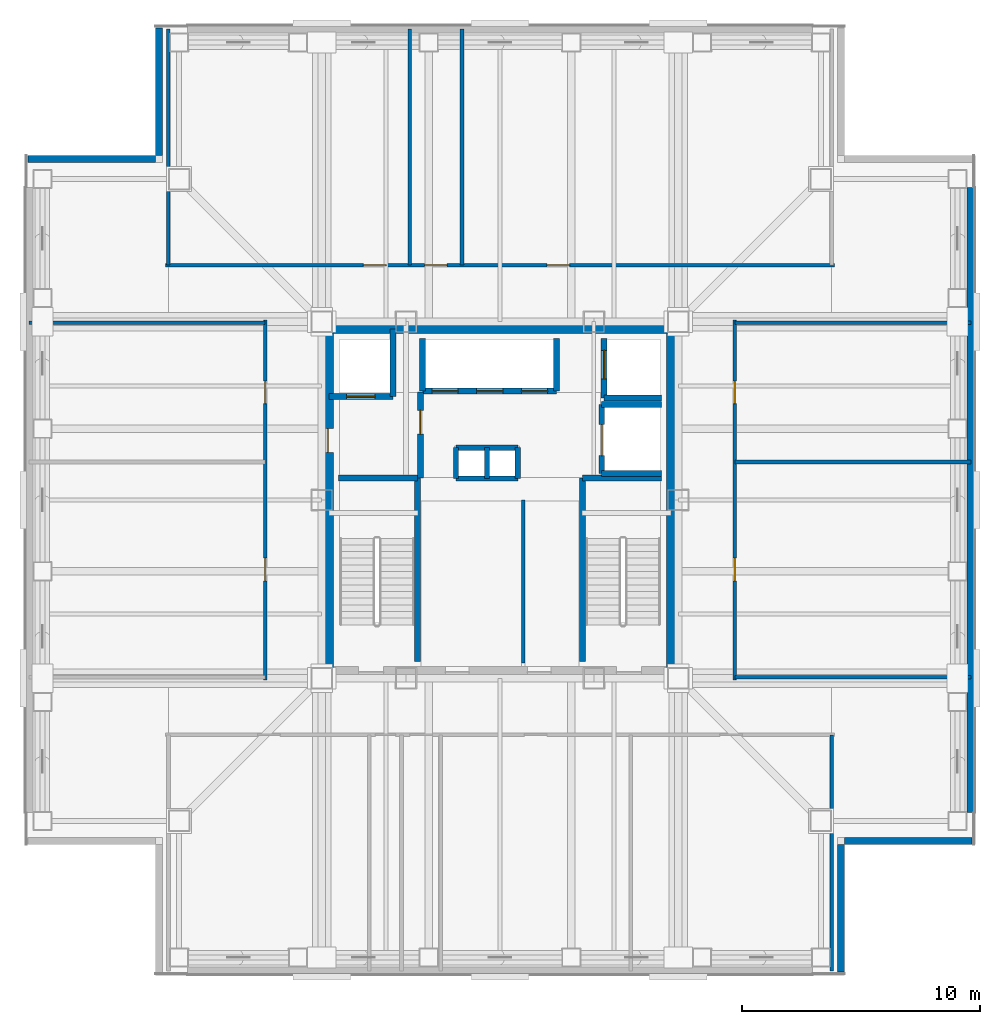
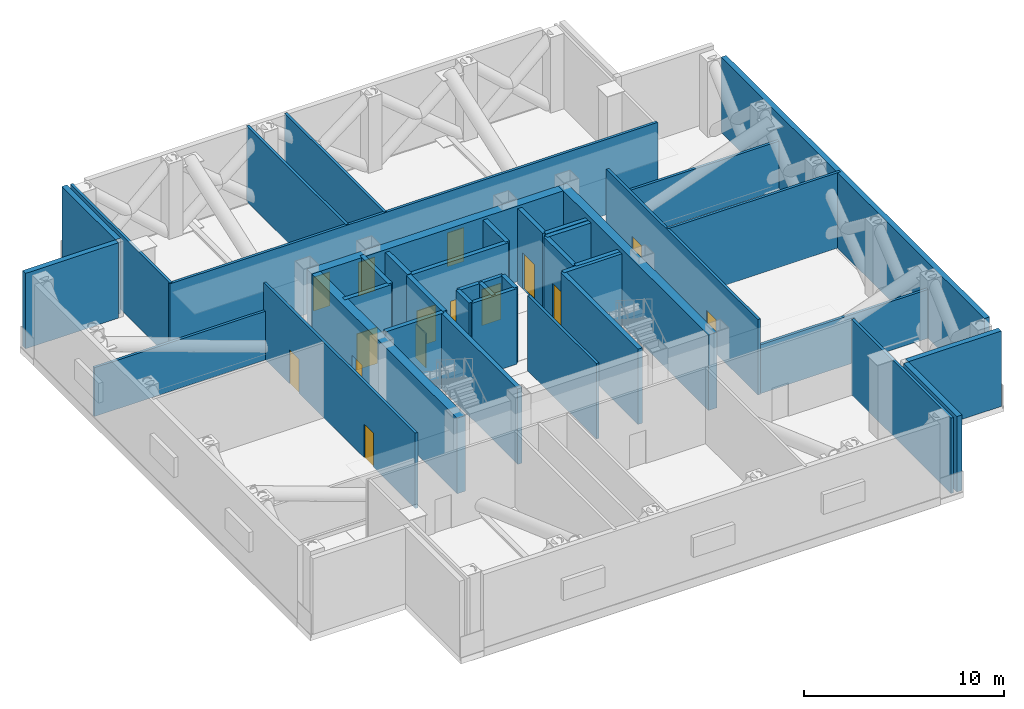
# One storey, part 4 of 10: 40 walls, 15 doors, 15 openings.
"""IFC4 building model written with IfcOpenShell, lengths in metres."""

from ifc_helpers import new_model, si_unit, direction, frame, frame_2d, origin, place, context, subcontext, project, spatial, rectangle, extrude, material, layer, layer_set, type_object, element, fill, save


model = new_model("IFC4")

# Units and contexts
model_context = context("Model", 3, precision=1e-05, world=origin(), true_north=direction((0.0, 1.0)))
body_context = subcontext(model_context, "Body", "Model", "MODEL_VIEW")
ifc_project = project(units=[si_unit("LENGTHUNIT", "METRE"), si_unit("AREAUNIT", "SQUARE_METRE"), si_unit("VOLUMEUNIT", "CUBIC_METRE"), si_unit("PLANEANGLEUNIT", "RADIAN"), si_unit("MASSUNIT", "GRAM", prefix="KILO")], contexts=[model_context])

# Site, building, storey
site_placement = place(None, origin())
site = spatial("IfcSite", under=ifc_project, at=site_placement, CompositionType="ELEMENT")
building_placement = place(site_placement, origin())
building = spatial("IfcBuilding", under=site, at=building_placement, Name="Trevonay Congress Spire", CompositionType="ELEMENT")
storey_placement = place(building_placement, frame((0.0, 0.0, 227.39990234375)))
storey = spatial("IfcBuildingStorey", under=building, at=storey_placement, Name="L59", CompositionType="ELEMENT", Elevation=227.39990234375)

# Wall
ifc_material_1 = material(Name="Concrete C50/60", Category="concrete")
ifc_layer_1 = layer(ifc_material_1, 0.5, Name="Concrete C50/60")
ifc_layer_set_1 = layer_set([ifc_layer_1], Name="Concrete C50/60")
wall_type_1 = type_object("IfcWallType", Name="WAL-CORE-500", PredefinedType="SHEAR", material=ifc_layer_set_1)
wall_1_placement = place(storey_placement, frame((-7.5, 7.25, 0.0), z_axis=(0.0, 0.0, 1.0), x_axis=(1.0, 0.0, 0.0)))
element("IfcWall", 1, at=wall_1_placement, inside=storey, type_object=wall_type_1, Name="L59 North structural core shear wall", PredefinedType="SHEAR", context=body_context, shape_type="SweptSolid", body=[
    extrude(rectangle(XDim=15.0, YDim=0.5, at=frame_2d((7.5, 0.0))), origin(), (0.0, 0.0, 1.0), 4.60009765625),
])

# Wall, opening, door
wall_2_placement = place(storey_placement, frame((-7.25, -7.5, 0.0), z_axis=(0.0, 0.0, 1.0), x_axis=(0.0, 1.0, 0.0)))
wall_2 = element("IfcWall", 2, at=wall_2_placement, inside=storey, type_object=wall_type_1, Name="L59 West structural core shear wall", PredefinedType="SHEAR", context=body_context, shape_type="SweptSolid", body=[
    extrude(rectangle(XDim=15.0, YDim=0.5, at=frame_2d((7.5, 0.0))), origin(), (0.0, 0.0, 1.0), 4.60009765625),
])
opening_1_placement = place(wall_2_placement, frame((9.5, 0.0, 0.0)))
opening_1 = element("IfcOpeningElement", 3, at=opening_1_placement, cuts=wall_2, Name="Opening D06", PredefinedType="OPENING", context=body_context, shape_type="SweptSolid", body=[
    extrude(rectangle(XDim=1.0, YDim=2.080078125, at=frame_2d((0.5, 1.0400390625))), frame((0.0, 0.260009765625, 0.0), z_axis=(0.0, -1.0, 0.0), x_axis=(1.0, 0.0, 0.0)), (0.0, 0.0, 1.0), 0.52001953125),
])
ifc_material_2 = material(Name="Steel ASTM A572 Grade 50", Category="steel")
door_type_1 = type_object("IfcDoorType", Name="DOR-FIRE-100", OperationType="NOTDEFINED", PredefinedType="DOOR", material=ifc_material_2)
door_1_placement = place(opening_1_placement, origin())
door_1 = element("IfcDoor", 4, at=door_1_placement, inside=storey, type_object=door_type_1, Name="L59 Firefighting Lift Lobby West Corridor Door", OperationType="SINGLE_SWING_RIGHT", OverallHeight=2.080078125, OverallWidth=1.0, PredefinedType="DOOR", context=body_context, shape_type="SweptSolid", body=[
    extrude(rectangle(XDim=1.0, YDim=2.080078125, at=frame_2d((0.5, 1.0400390625))), frame((0.0, 0.02490234375, 0.0), z_axis=(0.0, -1.0, 0.0), x_axis=(1.0, 0.0, 0.0)), (0.0, 0.0, 1.0), 0.050048828125),
])
fill(opening_1, door_1)

# Wall
wall_3_placement = place(storey_placement, frame((7.25, -7.5, 0.0), z_axis=(0.0, 0.0, 1.0), x_axis=(0.0, 1.0, 0.0)))
element("IfcWall", 5, at=wall_3_placement, inside=storey, type_object=wall_type_1, Name="L59 East structural core shear wall", PredefinedType="SHEAR", context=body_context, shape_type="SweptSolid", body=[
    extrude(rectangle(XDim=15.0, YDim=0.5, at=frame_2d((7.5, 0.0))), origin(), (0.0, 0.0, 1.0), 4.60009765625),
])

# Wall, openings, doors
ifc_material_3 = material(Name="Concrete C40/50", Category="concrete")
ifc_layer_2 = layer(ifc_material_3, 0.14990234375, Name="Concrete C40/50")
ifc_layer_set_2 = layer_set([ifc_layer_2], Name="Concrete C40/50")
wall_type_2 = type_object("IfcWallType", Name="WAL-CORR-150", PredefinedType="PARTITIONING", material=ifc_layer_set_2)
wall_4_placement = place(storey_placement, frame((-14.070068359375, 9.8798828125, 0.0), z_axis=(0.0, 0.0, 1.0), x_axis=(1.0, 0.0, 0.0)))
wall_4 = element("IfcWall", 6, at=wall_4_placement, inside=storey, type_object=wall_type_2, Name="L59 interior wall WP-L59N-COR", PredefinedType="PARTITIONING", context=body_context, shape_type="SweptSolid", body=[
    extrude(rectangle(XDim=28.14013671875, YDim=0.14990234375, at=frame_2d((14.070068359375, 0.0))), origin(), (0.0, 0.0, 1.0), 4.60009765625),
])
opening_2_placement = place(wall_4_placement, frame((8.324951171875, 0.0, 0.0)))
opening_2 = element("IfcOpeningElement", 7, at=opening_2_placement, cuts=wall_4, Name="Opening D07", PredefinedType="OPENING", context=body_context, shape_type="SweptSolid", body=[
    extrude(rectangle(XDim=0.949951171875, YDim=2.06005859375, at=frame_2d((0.47509765625, 1.030029296875))), frame((0.0, 0.0849609375, 0.0), z_axis=(0.0, -1.0, 0.0), x_axis=(1.0, 0.0, 0.0)), (0.0, 0.0, 1.0), 0.169921875),
])
opening_3_placement = place(wall_4_placement, frame((10.89501953125, 0.0, 0.0)))
opening_3 = element("IfcOpeningElement", 8, at=opening_3_placement, cuts=wall_4, Name="Opening D07", PredefinedType="OPENING", context=body_context, shape_type="SweptSolid", body=[
    extrude(rectangle(XDim=0.949951171875, YDim=2.06005859375, at=frame_2d((0.47509765625, 1.030029296875))), frame((0.0, 0.0849609375, 0.0), z_axis=(0.0, -1.0, 0.0), x_axis=(1.0, 0.0, 0.0)), (0.0, 0.0, 1.0), 0.169921875),
])
opening_4_placement = place(wall_4_placement, frame((16.044921875, 0.0, 0.0)))
opening_4 = element("IfcOpeningElement", 9, at=opening_4_placement, cuts=wall_4, Name="Opening D07", PredefinedType="OPENING", context=body_context, shape_type="SweptSolid", body=[
    extrude(rectangle(XDim=0.949951171875, YDim=2.06005859375, at=frame_2d((0.47509765625, 1.030029296875))), frame((0.0, 0.0849609375, 0.0), z_axis=(0.0, -1.0, 0.0), x_axis=(1.0, 0.0, 0.0)), (0.0, 0.0, 1.0), 0.169921875),
])
ifc_material_4 = material(Name="Pale Anodised Aluminium EN AW-6063-T6", Category="aluminium")
door_type_2 = type_object("IfcDoorType", Name="DOR-OFFICE-95", OperationType="NOTDEFINED", PredefinedType="DOOR", material=ifc_material_4)
door_2_placement = place(opening_2_placement, origin())
door_2 = element("IfcDoor", 10, at=door_2_placement, inside=storey, type_object=door_type_2, Name="L59 Electrical HV Transformer Room Door", OperationType="SINGLE_SWING_LEFT", OverallHeight=2.06005859375, OverallWidth=0.949951171875, PredefinedType="DOOR", context=body_context, shape_type="SweptSolid", body=[
    extrude(rectangle(XDim=0.949951171875, YDim=2.06005859375, at=frame_2d((0.47509765625, 1.030029296875))), frame((0.0, 0.02490234375, 0.0), z_axis=(0.0, -1.0, 0.0), x_axis=(1.0, 0.0, 0.0)), (0.0, 0.0, 1.0), 0.050048828125),
])
fill(opening_2, door_2)
door_3_placement = place(opening_3_placement, origin())
door_3 = element("IfcDoor", 11, at=door_3_placement, inside=storey, type_object=door_type_2, Name="L59 Sprinkler Break-Tank and Pump Room Door", OperationType="SINGLE_SWING_RIGHT", OverallHeight=2.06005859375, OverallWidth=0.949951171875, PredefinedType="DOOR", context=body_context, shape_type="SweptSolid", body=[
    extrude(rectangle(XDim=0.949951171875, YDim=2.06005859375, at=frame_2d((0.47509765625, 1.030029296875))), frame((0.0, 0.02490234375, 0.0), z_axis=(0.0, -1.0, 0.0), x_axis=(1.0, 0.0, 0.0)), (0.0, 0.0, 1.0), 0.050048828125),
])
fill(opening_3, door_3)
door_4_placement = place(opening_4_placement, origin())
door_4 = element("IfcDoor", 12, at=door_4_placement, inside=storey, type_object=door_type_2, Name="L59 Smoke Extract Plenum Room Door", OperationType="SINGLE_SWING_LEFT", OverallHeight=2.06005859375, OverallWidth=0.949951171875, PredefinedType="DOOR", context=body_context, shape_type="SweptSolid", body=[
    extrude(rectangle(XDim=0.949951171875, YDim=2.06005859375, at=frame_2d((0.47509765625, 1.030029296875))), frame((0.0, 0.02490234375, 0.0), z_axis=(0.0, -1.0, 0.0), x_axis=(1.0, 0.0, 0.0)), (0.0, 0.0, 1.0), 0.050048828125),
])
fill(opening_4, door_4)

wall_5_placement = place(storey_placement, frame((-9.8798828125, -7.570068359375, 0.0), z_axis=(0.0, 0.0, 1.0), x_axis=(0.0, 1.0, 0.0)))
wall_5 = element("IfcWall", 13, at=wall_5_placement, inside=storey, type_object=wall_type_2, Name="L59 interior wall WP-L59W-COR", PredefinedType="PARTITIONING", context=body_context, shape_type="SweptSolid", body=[
    extrude(rectangle(XDim=15.14013671875, YDim=0.14990234375, at=frame_2d((7.570068359375, 0.0))), origin(), (0.0, 0.0, 1.0), 4.60009765625),
])
opening_5_placement = place(wall_5_placement, frame((4.169921875, 0.0, 0.0)))
opening_5 = element("IfcOpeningElement", 14, at=opening_5_placement, cuts=wall_5, Name="Opening D07", PredefinedType="OPENING", context=body_context, shape_type="SweptSolid", body=[
    extrude(rectangle(XDim=0.949951171875, YDim=2.06005859375, at=frame_2d((0.47509765625, 1.030029296875))), frame((0.0, 0.0849609375, 0.0), z_axis=(0.0, -1.0, 0.0), x_axis=(1.0, 0.0, 0.0)), (0.0, 0.0, 1.0), 0.169921875),
])
opening_6_placement = place(wall_5_placement, frame((11.6201171875, 0.0, 0.0)))
opening_6 = element("IfcOpeningElement", 15, at=opening_6_placement, cuts=wall_5, Name="Opening D07", PredefinedType="OPENING", context=body_context, shape_type="SweptSolid", body=[
    extrude(rectangle(XDim=0.949951171875, YDim=2.06005859375, at=frame_2d((0.47509765625, 1.030029296875))), frame((0.0, 0.0849609375, 0.0), z_axis=(0.0, -1.0, 0.0), x_axis=(1.0, 0.0, 0.0)), (0.0, 0.0, 1.0), 0.169921875),
])
door_5_placement = place(opening_5_placement, origin())
door_5 = element("IfcDoor", 16, at=door_5_placement, inside=storey, type_object=door_type_2, Name="L59 Refuge Area West Door", OperationType="SINGLE_SWING_RIGHT", OverallHeight=2.06005859375, OverallWidth=0.949951171875, PredefinedType="DOOR", context=body_context, shape_type="SweptSolid", body=[
    extrude(rectangle(XDim=0.949951171875, YDim=2.06005859375, at=frame_2d((0.47509765625, 1.030029296875))), frame((0.0, 0.02490234375, 0.0), z_axis=(0.0, -1.0, 0.0), x_axis=(1.0, 0.0, 0.0)), (0.0, 0.0, 1.0), 0.050048828125),
])
fill(opening_5, door_5)
door_6_placement = place(opening_6_placement, origin())
door_6 = element("IfcDoor", 17, at=door_6_placement, inside=storey, type_object=door_type_2, Name="L59 Pressurization Fan Room West Door", OperationType="SINGLE_SWING_LEFT", OverallHeight=2.06005859375, OverallWidth=0.949951171875, PredefinedType="DOOR", context=body_context, shape_type="SweptSolid", body=[
    extrude(rectangle(XDim=0.949951171875, YDim=2.06005859375, at=frame_2d((0.47509765625, 1.030029296875))), frame((0.0, 0.02490234375, 0.0), z_axis=(0.0, -1.0, 0.0), x_axis=(1.0, 0.0, 0.0)), (0.0, 0.0, 1.0), 0.050048828125),
])
fill(opening_6, door_6)

wall_6_placement = place(storey_placement, frame((9.8798828125, -7.570068359375, 0.0), z_axis=(0.0, 0.0, 1.0), x_axis=(0.0, 1.0, 0.0)))
wall_6 = element("IfcWall", 18, at=wall_6_placement, inside=storey, type_object=wall_type_2, Name="L59 interior wall WP-L59E-COR", PredefinedType="PARTITIONING", context=body_context, shape_type="SweptSolid", body=[
    extrude(rectangle(XDim=15.14013671875, YDim=0.14990234375, at=frame_2d((7.570068359375, 0.0))), origin(), (0.0, 0.0, 1.0), 4.60009765625),
])
opening_7_placement = place(wall_6_placement, frame((4.169921875, 0.0, 0.0)))
opening_7 = element("IfcOpeningElement", 19, at=opening_7_placement, cuts=wall_6, Name="Opening D07", PredefinedType="OPENING", context=body_context, shape_type="SweptSolid", body=[
    extrude(rectangle(XDim=0.949951171875, YDim=2.06005859375, at=frame_2d((0.47509765625, 1.030029296875))), frame((0.0, 0.0849609375, 0.0), z_axis=(0.0, -1.0, 0.0), x_axis=(1.0, 0.0, 0.0)), (0.0, 0.0, 1.0), 0.169921875),
])
opening_8_placement = place(wall_6_placement, frame((11.6201171875, 0.0, 0.0)))
opening_8 = element("IfcOpeningElement", 20, at=opening_8_placement, cuts=wall_6, Name="Opening D07", PredefinedType="OPENING", context=body_context, shape_type="SweptSolid", body=[
    extrude(rectangle(XDim=0.949951171875, YDim=2.06005859375, at=frame_2d((0.47509765625, 1.030029296875))), frame((0.0, 0.0849609375, 0.0), z_axis=(0.0, -1.0, 0.0), x_axis=(1.0, 0.0, 0.0)), (0.0, 0.0, 1.0), 0.169921875),
])
door_7_placement = place(opening_7_placement, origin())
door_7 = element("IfcDoor", 21, at=door_7_placement, inside=storey, type_object=door_type_2, Name="L59 Refuge Area East Door", OperationType="SINGLE_SWING_RIGHT", OverallHeight=2.06005859375, OverallWidth=0.949951171875, PredefinedType="DOOR", context=body_context, shape_type="SweptSolid", body=[
    extrude(rectangle(XDim=0.949951171875, YDim=2.06005859375, at=frame_2d((0.47509765625, 1.030029296875))), frame((0.0, 0.02490234375, 0.0), z_axis=(0.0, -1.0, 0.0), x_axis=(1.0, 0.0, 0.0)), (0.0, 0.0, 1.0), 0.050048828125),
])
fill(opening_7, door_7)
door_8_placement = place(opening_8_placement, origin())
door_8 = element("IfcDoor", 22, at=door_8_placement, inside=storey, type_object=door_type_2, Name="L59 Domestic Water Booster Room Door", OperationType="SINGLE_SWING_LEFT", OverallHeight=2.06005859375, OverallWidth=0.949951171875, PredefinedType="DOOR", context=body_context, shape_type="SweptSolid", body=[
    extrude(rectangle(XDim=0.949951171875, YDim=2.06005859375, at=frame_2d((0.47509765625, 1.030029296875))), frame((0.0, 0.02490234375, 0.0), z_axis=(0.0, -1.0, 0.0), x_axis=(1.0, 0.0, 0.0)), (0.0, 0.0, 1.0), 0.050048828125),
])
fill(opening_8, door_8)

# Walls
ifc_material_5 = material(Name="Precast concrete C40/50", Category="concrete")
ifc_layer_3 = layer(ifc_material_5, 0.300048828125, Name="Precast concrete C40/50")
ifc_layer_set_3 = layer_set([ifc_layer_3], Name="Precast concrete C40/50")
wall_type_3 = type_object("IfcWallType", Name="WAL-EXT-PRECAST-300", PredefinedType="SOLIDWALL", material=ifc_layer_set_3)
wall_7_placement = place(storey_placement, frame((19.800048828125, -13.14990234375, 0.0), z_axis=(0.0, 0.0, 1.0), x_axis=(0.0, 1.0, 0.0)))
element("IfcWall", 23, at=wall_7_placement, inside=storey, type_object=wall_type_3, Name="L59 E outrigger plant backup wall", PredefinedType="SOLIDWALL", context=body_context, shape_type="SweptSolid", body=[
    extrude(rectangle(XDim=26.2998046875, YDim=0.300048828125, at=frame_2d((13.14990234375, 0.0))), origin(), (0.0, 0.0, 1.0), 4.60009765625),
])
for number, where, z_axis, x_axis, name in (
    (24, (14.35009765625, -19.85009765625, 0.0), (0.0, 0.0, 1.0), (0.0, 1.0, 0.0), "L59 SE plant notch wall 1"),
    (25, (19.85009765625, -14.35009765625, 0.0), (0.0, 0.0, 1.0), (-1.0, 0.0, 0.0), "L59 SE plant notch wall 2"),
    (26, (-14.35009765625, 19.85009765625, 0.0), (0.0, 0.0, 1.0), (0.0, -1.0, 0.0), "L59 NW plant notch wall 1"),
    (27, (-19.85009765625, 14.35009765625, 0.0), (0.0, 0.0, 1.0), (1.0, 0.0, 0.0), "L59 NW plant notch wall 2"),
):
    element("IfcWall", number, at=place(storey_placement, frame(where, z_axis=z_axis, x_axis=x_axis)), inside=storey, type_object=wall_type_3, Name=name, PredefinedType="SOLIDWALL", context=body_context, shape_type="SweptSolid", body=[
        extrude(rectangle(XDim=5.35009765625, YDim=0.300048828125, at=frame_2d((2.675048828125, 0.0))), origin(), (0.0, 0.0, 1.0), 4.60009765625),
    ])
ifc_layer_4 = layer(ifc_material_3, 0.14990234375, Name="Concrete C40/50")
ifc_layer_set_4 = layer_set([ifc_layer_4], Name="Concrete C40/50")
wall_type_4 = type_object("IfcWallType", Name="WAL-PART-150", PredefinedType="PARTITIONING", material=ifc_layer_set_4)
wall_8_placement = place(storey_placement, frame((0.97998046875, -6.85009765625, 0.0), z_axis=(0.0, 0.0, 1.0), x_axis=(0.0, 1.0, 0.0)))
element("IfcWall", 28, at=wall_8_placement, inside=storey, type_object=wall_type_4, Name="L59 interior wall CW-F3-L59", PredefinedType="PARTITIONING", context=body_context, shape_type="SweptSolid", body=[
    extrude(rectangle(XDim=6.85009765625, YDim=0.14990234375, at=frame_2d((3.425048828125, 0.0))), origin(), (0.0, 0.0, 1.0), 4.60009765625),
])
for number, where, z_axis, x_axis, name in (
    (29, (13.949951171875, -19.820068359375, 0.0), (0.0, 0.0, 1.0), (0.0, 1.0, 0.0), "L59 interior wall WP-L59S-DIV5"),
    (30, (-13.949951171875, 9.8798828125, 0.0), (0.0, 0.0, 1.0), (0.0, 1.0, 0.0), "L59 interior wall WP-L59N-DIV1"),
    (31, (-3.800048828125, 9.8798828125, 0.0), (0.0, 0.0, 1.0), (0.0, 1.0, 0.0), "L59 interior wall WP-L59N-DIV2"),
    (32, (-1.60009765625, 9.8798828125, 0.0), (0.0, 0.0, 1.0), (0.0, 1.0, 0.0), "L59 interior wall WP-L59N-DIV3"),
):
    element("IfcWall", number, at=place(storey_placement, frame(where, z_axis=z_axis, x_axis=x_axis)), inside=storey, type_object=wall_type_4, Name=name, PredefinedType="PARTITIONING", context=body_context, shape_type="SweptSolid", body=[
        extrude(rectangle(XDim=9.940185546875, YDim=0.14990234375, at=frame_2d((4.97021484375, 0.0))), origin(), (0.0, 0.0, 1.0), 4.60009765625),
    ])
for number, where, z_axis, x_axis, name in (
    (33, (-19.820068359375, 7.449951171875, 0.0), (0.0, 0.0, 1.0), (1.0, 0.0, 0.0), "L59 interior wall WP-L59W-DIV3"),
    (34, (9.8798828125, -7.449951171875, 0.0), (0.0, 0.0, 1.0), (1.0, 0.0, 0.0), "L59 interior wall WP-L59E-DIV1"),
):
    element("IfcWall", number, at=place(storey_placement, frame(where, z_axis=z_axis, x_axis=x_axis)), inside=storey, type_object=wall_type_4, Name=name, PredefinedType="PARTITIONING", context=body_context, shape_type="SweptSolid", body=[
        extrude(rectangle(XDim=9.940185546875, YDim=0.14990234375, at=frame_2d((4.97021484375, 0.0))), origin(), (0.0, 0.0, 1.0), 2.97509765625),
    ])
wall_9_placement = place(storey_placement, frame((9.8798828125, 1.60009765625, 0.0), z_axis=(0.0, 0.0, 1.0), x_axis=(1.0, 0.0, 0.0)))
element("IfcWall", 35, at=wall_9_placement, inside=storey, type_object=wall_type_4, Name="L59 interior wall WP-L59E-DIV2", PredefinedType="PARTITIONING", context=body_context, shape_type="SweptSolid", body=[
    extrude(rectangle(XDim=9.940185546875, YDim=0.14990234375, at=frame_2d((4.97021484375, 0.0))), origin(), (0.0, 0.0, 1.0), 4.60009765625),
])
wall_10_placement = place(storey_placement, frame((9.8798828125, 7.449951171875, 0.0), z_axis=(0.0, 0.0, 1.0), x_axis=(1.0, 0.0, 0.0)))
element("IfcWall", 36, at=wall_10_placement, inside=storey, type_object=wall_type_4, Name="L59 interior wall WP-L59E-DIV3", PredefinedType="PARTITIONING", context=body_context, shape_type="SweptSolid", body=[
    extrude(rectangle(XDim=9.940185546875, YDim=0.14990234375, at=frame_2d((4.97021484375, 0.0))), origin(), (0.0, 0.0, 1.0), 2.97509765625),
])
ifc_layer_5 = layer(ifc_material_3, 0.219970703125, Name="Concrete C40/50")
ifc_layer_set_5 = layer_set([ifc_layer_5], Name="Concrete C40/50")
wall_type_5 = type_object("IfcWallType", Name="WAL-SHAFT-220", PredefinedType="PARTITIONING", material=ifc_layer_set_5)
for number, where, z_axis, x_axis, name in (
    (37, (-1.85009765625, 2.199951171875, 0.0), (0.0, 0.0, 1.0), (1.0, 0.0, 0.0), "L59 interior shaft wall WSH-L59-RSR-N"),
    (38, (-1.85009765625, 0.89990234375, 0.0), (0.0, 0.0, 1.0), (1.0, 0.0, 0.0), "L59 interior shaft wall WSH-L59-RSR-S"),
):
    element("IfcWall", number, at=place(storey_placement, frame(where, z_axis=z_axis, x_axis=x_axis)), inside=storey, type_object=wall_type_5, Name=name, PredefinedType="PARTITIONING", context=body_context, shape_type="SweptSolid", body=[
        extrude(rectangle(XDim=2.60009765625, YDim=0.219970703125, at=frame_2d((1.300048828125, 0.0))), origin(), (0.0, 0.0, 1.0), 4.60009765625),
    ])
for number, where, z_axis, x_axis, name in (
    (39, (-0.550048828125, 0.89990234375, 0.0), (0.0, 0.0, 1.0), (0.0, 1.0, 0.0), "L59 interior shaft wall WSH-L59-RSR-M"),
    (40, (0.75, 0.89990234375, 0.0), (0.0, 0.0, 1.0), (0.0, 1.0, 0.0), "L59 interior shaft wall WSH-L59-RSR-E"),
    (41, (-1.85009765625, 0.89990234375, 0.0), (0.0, 0.0, 1.0), (0.0, 1.0, 0.0), "L59 interior shaft wall WSH-L59-RSR-W"),
):
    element("IfcWall", number, at=place(storey_placement, frame(where, z_axis=z_axis, x_axis=x_axis)), inside=storey, type_object=wall_type_5, Name=name, PredefinedType="PARTITIONING", context=body_context, shape_type="SweptSolid", body=[
        extrude(rectangle(XDim=1.300048828125, YDim=0.219970703125, at=frame_2d((0.64990234375, 0.0))), origin(), (0.0, 0.0, 1.0), 4.60009765625),
    ])

# Wall, openings, doors
ifc_layer_6 = layer(ifc_material_3, 0.25, Name="Concrete C40/50")
ifc_layer_set_6 = layer_set([ifc_layer_6], Name="Concrete C40/50")
wall_type_6 = type_object("IfcWallType", Name="WAL-SHAFT-250", PredefinedType="SHEAR", material=ifc_layer_set_6)
wall_11_placement = place(storey_placement, frame((-3.260009765625, 4.580078125, 0.0), z_axis=(0.0, 0.0, 1.0), x_axis=(1.0, 0.0, 0.0)))
wall_11 = element("IfcWall", 42, at=wall_11_placement, inside=storey, type_object=wall_type_6, Name="L59 interior shaft wall WSH-L59-B3-S", PredefinedType="SHEAR", context=body_context, shape_type="SweptSolid", body=[
    extrude(rectangle(XDim=5.639892578125, YDim=0.25, at=frame_2d((2.81982421875, 0.0))), origin(), (0.0, 0.0, 1.0), 4.60009765625),
])
opening_9_placement = place(wall_11_placement, frame((0.39990234375, 0.0, 0.0)))
opening_9 = element("IfcOpeningElement", 43, at=opening_9_placement, cuts=wall_11, Name="Opening LD03", PredefinedType="OPENING", context=body_context, shape_type="SweptSolid", body=[
    extrude(rectangle(XDim=1.10009765625, YDim=2.199951171875, at=frame_2d((0.550048828125, 1.10009765625))), frame((0.0, 0.135009765625, 0.0), z_axis=(0.0, -1.0, 0.0), x_axis=(1.0, 0.0, 0.0)), (0.0, 0.0, 1.0), 0.27001953125),
])
opening_10_placement = place(wall_11_placement, frame((2.280029296875, 0.0, 0.0)))
opening_10 = element("IfcOpeningElement", 44, at=opening_10_placement, cuts=wall_11, Name="Opening LD03", PredefinedType="OPENING", context=body_context, shape_type="SweptSolid", body=[
    extrude(rectangle(XDim=1.10009765625, YDim=2.199951171875, at=frame_2d((0.550048828125, 1.10009765625))), frame((0.0, 0.135009765625, 0.0), z_axis=(0.0, -1.0, 0.0), x_axis=(1.0, 0.0, 0.0)), (0.0, 0.0, 1.0), 0.27001953125),
])
opening_11_placement = place(wall_11_placement, frame((4.159912109375, 0.0, 0.0)))
opening_11 = element("IfcOpeningElement", 45, at=opening_11_placement, cuts=wall_11, Name="Opening LD03", PredefinedType="OPENING", context=body_context, shape_type="SweptSolid", body=[
    extrude(rectangle(XDim=1.10009765625, YDim=2.199951171875, at=frame_2d((0.550048828125, 1.10009765625))), frame((0.0, 0.135009765625, 0.0), z_axis=(0.0, -1.0, 0.0), x_axis=(1.0, 0.0, 0.0)), (0.0, 0.0, 1.0), 0.27001953125),
])
door_type_3 = type_object("IfcDoorType", Name="DOR-LIFT-LD03", OperationType="DOUBLE_DOOR_SLIDING", PredefinedType="DOOR", material=ifc_material_4)
door_9_placement = place(opening_9_placement, origin())
door_9 = element("IfcDoor", 46, at=door_9_placement, inside=storey, type_object=door_type_3, Name="L59 Passenger lift PL-07 landing door", OperationType="DOUBLE_DOOR_SLIDING", OverallHeight=2.199951171875, OverallWidth=1.10009765625, PredefinedType="DOOR", context=body_context, shape_type="SweptSolid", body=[
    extrude(rectangle(XDim=1.10009765625, YDim=2.199951171875, at=frame_2d((0.550048828125, 1.10009765625))), frame((0.0, 0.02490234375, 0.0), z_axis=(0.0, -1.0, 0.0), x_axis=(1.0, 0.0, 0.0)), (0.0, 0.0, 1.0), 0.050048828125),
])
fill(opening_9, door_9)
door_10_placement = place(opening_10_placement, origin())
door_10 = element("IfcDoor", 47, at=door_10_placement, inside=storey, type_object=door_type_3, Name="L59 Passenger lift PL-08 landing door", OperationType="DOUBLE_DOOR_SLIDING", OverallHeight=2.199951171875, OverallWidth=1.10009765625, PredefinedType="DOOR", context=body_context, shape_type="SweptSolid", body=[
    extrude(rectangle(XDim=1.10009765625, YDim=2.199951171875, at=frame_2d((0.550048828125, 1.10009765625))), frame((0.0, 0.02490234375, 0.0), z_axis=(0.0, -1.0, 0.0), x_axis=(1.0, 0.0, 0.0)), (0.0, 0.0, 1.0), 0.050048828125),
])
fill(opening_10, door_10)
door_11_placement = place(opening_11_placement, origin())
door_11 = element("IfcDoor", 48, at=door_11_placement, inside=storey, type_object=door_type_3, Name="L59 Passenger lift PL-09 landing door", OperationType="DOUBLE_DOOR_SLIDING", OverallHeight=2.199951171875, OverallWidth=1.10009765625, PredefinedType="DOOR", context=body_context, shape_type="SweptSolid", body=[
    extrude(rectangle(XDim=1.10009765625, YDim=2.199951171875, at=frame_2d((0.550048828125, 1.10009765625))), frame((0.0, 0.02490234375, 0.0), z_axis=(0.0, -1.0, 0.0), x_axis=(1.0, 0.0, 0.0)), (0.0, 0.0, 1.0), 0.050048828125),
])
fill(opening_11, door_11)

# Walls
for number, where, z_axis, x_axis, name in (
    (49, (-3.260009765625, 4.580078125, 0.0), (0.0, 0.0, 1.0), (0.0, 1.0, 0.0), "L59 interior shaft wall WSH-L59-B3-W"),
    (50, (2.3798828125, 4.580078125, 0.0), (0.0, 0.0, 1.0), (0.0, 1.0, 0.0), "L59 interior shaft wall WSH-L59-B3-E"),
):
    element("IfcWall", number, at=place(storey_placement, frame(where, z_axis=z_axis, x_axis=x_axis)), inside=storey, type_object=wall_type_6, Name=name, PredefinedType="SHEAR", context=body_context, shape_type="SweptSolid", body=[
        extrude(rectangle(XDim=2.219970703125, YDim=0.25, at=frame_2d((1.10986328125, 0.0))), origin(), (0.0, 0.0, 1.0), 4.60009765625),
    ])

# Wall, opening, door
wall_12_placement = place(storey_placement, frame((-7.199951171875, 4.35009765625, 0.0), z_axis=(0.0, 0.0, 1.0), x_axis=(1.0, 0.0, 0.0)))
wall_12 = element("IfcWall", 51, at=wall_12_placement, inside=storey, type_object=wall_type_6, Name="L59 interior shaft wall WSH-L59-FF1-S", PredefinedType="SHEAR", context=body_context, shape_type="SweptSolid", body=[
    extrude(rectangle(XDim=2.699951171875, YDim=0.25, at=frame_2d((1.35009765625, 0.0))), origin(), (0.0, 0.0, 1.0), 4.60009765625),
])
opening_12_placement = place(wall_12_placement, frame((0.75, 0.0, 0.0)))
opening_12 = element("IfcOpeningElement", 52, at=opening_12_placement, cuts=wall_12, Name="Opening LD04", PredefinedType="OPENING", context=body_context, shape_type="SweptSolid", body=[
    extrude(rectangle(XDim=1.199951171875, YDim=2.199951171875, at=frame_2d((0.60009765625, 1.10009765625))), frame((0.0, 0.135009765625, 0.0), z_axis=(0.0, -1.0, 0.0), x_axis=(1.0, 0.0, 0.0)), (0.0, 0.0, 1.0), 0.27001953125),
])
door_type_4 = type_object("IfcDoorType", Name="DOR-LIFT-LD04", OperationType="DOUBLE_DOOR_SLIDING", PredefinedType="DOOR", material=ifc_material_2)
door_12_placement = place(opening_12_placement, origin())
door_12 = element("IfcDoor", 53, at=door_12_placement, inside=storey, type_object=door_type_4, Name="L59 Firefighting lift FFL-01 landing door", OperationType="DOUBLE_DOOR_SLIDING", OverallHeight=2.199951171875, OverallWidth=1.199951171875, PredefinedType="DOOR", context=body_context, shape_type="SweptSolid", body=[
    extrude(rectangle(XDim=1.199951171875, YDim=2.199951171875, at=frame_2d((0.60009765625, 1.10009765625))), frame((0.0, 0.02490234375, 0.0), z_axis=(0.0, -1.0, 0.0), x_axis=(1.0, 0.0, 0.0)), (0.0, 0.0, 1.0), 0.050048828125),
])
fill(opening_12, door_12)

# Walls
wall_13_placement = place(storey_placement, frame((-4.5, 4.35009765625, 0.0), z_axis=(0.0, 0.0, 1.0), x_axis=(0.0, 1.0, 0.0)))
element("IfcWall", 54, at=wall_13_placement, inside=storey, type_object=wall_type_6, Name="L59 interior shaft wall WSH-L59-FF1-E", PredefinedType="SHEAR", context=body_context, shape_type="SweptSolid", body=[
    extrude(rectangle(XDim=2.849853515625, YDim=0.25, at=frame_2d((1.4248046875, 0.0))), origin(), (0.0, 0.0, 1.0), 4.60009765625),
])
wall_14_placement = place(storey_placement, frame((4.3798828125, 4.300048828125, 0.0), z_axis=(0.0, 0.0, 1.0), x_axis=(1.0, 0.0, 0.0)))
element("IfcWall", 55, at=wall_14_placement, inside=storey, type_object=wall_type_6, Name="L59 interior shaft wall WSH-L59-FF2-S", PredefinedType="SHEAR", context=body_context, shape_type="SweptSolid", body=[
    extrude(rectangle(XDim=2.420166015625, YDim=0.25, at=frame_2d((1.2099609375, 0.0))), origin(), (0.0, 0.0, 1.0), 4.60009765625),
])

# Wall, opening, door
wall_15_placement = place(storey_placement, frame((4.3798828125, 4.300048828125, 0.0), z_axis=(0.0, 0.0, 1.0), x_axis=(0.0, 1.0, 0.0)))
wall_15 = element("IfcWall", 56, at=wall_15_placement, inside=storey, type_object=wall_type_6, Name="L59 interior shaft wall WSH-L59-FF2-W", PredefinedType="SHEAR", context=body_context, shape_type="SweptSolid", body=[
    extrude(rectangle(XDim=2.5, YDim=0.25, at=frame_2d((1.25, 0.0))), origin(), (0.0, 0.0, 1.0), 4.60009765625),
])
opening_13_placement = place(wall_15_placement, frame((0.800048828125, 0.0, 0.0)))
opening_13 = element("IfcOpeningElement", 57, at=opening_13_placement, cuts=wall_15, Name="Opening LD04", PredefinedType="OPENING", context=body_context, shape_type="SweptSolid", body=[
    extrude(rectangle(XDim=1.199951171875, YDim=2.199951171875, at=frame_2d((0.60009765625, 1.10009765625))), frame((0.0, 0.135009765625, 0.0), z_axis=(0.0, -1.0, 0.0), x_axis=(1.0, 0.0, 0.0)), (0.0, 0.0, 1.0), 0.27001953125),
])
door_13_placement = place(opening_13_placement, origin())
door_13 = element("IfcDoor", 58, at=door_13_placement, inside=storey, type_object=door_type_4, Name="L59 Firefighting lift FFL-02 landing door", OperationType="DOUBLE_DOOR_SLIDING", OverallHeight=2.199951171875, OverallWidth=1.199951171875, PredefinedType="DOOR", context=body_context, shape_type="SweptSolid", body=[
    extrude(rectangle(XDim=1.199951171875, YDim=2.199951171875, at=frame_2d((0.60009765625, 1.10009765625))), frame((0.0, 0.02490234375, 0.0), z_axis=(0.0, -1.0, 0.0), x_axis=(1.0, 0.0, 0.0)), (0.0, 0.0, 1.0), 0.050048828125),
])
fill(opening_13, door_13)

wall_16_placement = place(storey_placement, frame((4.280029296875, 1.1201171875, 0.0), z_axis=(0.0, 0.0, 1.0), x_axis=(0.0, 1.0, 0.0)))
wall_16 = element("IfcWall", 59, at=wall_16_placement, inside=storey, type_object=wall_type_6, Name="L59 interior shaft wall WSH-L59-SV-W", PredefinedType="SHEAR", context=body_context, shape_type="SweptSolid", body=[
    extrude(rectangle(XDim=2.89990234375, YDim=0.25, at=frame_2d((1.449951171875, 0.0))), origin(), (0.0, 0.0, 1.0), 4.60009765625),
])
opening_14_placement = place(wall_16_placement, frame((0.75, 0.0, 0.0)))
opening_14 = element("IfcOpeningElement", 60, at=opening_14_placement, cuts=wall_16, Name="Opening LD05", PredefinedType="OPENING", context=body_context, shape_type="SweptSolid", body=[
    extrude(rectangle(XDim=1.300048828125, YDim=2.300048828125, at=frame_2d((0.64990234375, 1.14990234375))), frame((0.0, 0.135009765625, 0.0), z_axis=(0.0, -1.0, 0.0), x_axis=(1.0, 0.0, 0.0)), (0.0, 0.0, 1.0), 0.27001953125),
])
door_type_5 = type_object("IfcDoorType", Name="DOR-LIFT-LD05", OperationType="DOUBLE_DOOR_SLIDING", PredefinedType="DOOR", material=ifc_material_2)
door_14_placement = place(opening_14_placement, origin())
door_14 = element("IfcDoor", 61, at=door_14_placement, inside=storey, type_object=door_type_5, Name="L59 Goods lift SVL-01 landing door", OperationType="DOUBLE_DOOR_SLIDING", OverallHeight=2.300048828125, OverallWidth=1.300048828125, PredefinedType="DOOR", context=body_context, shape_type="SweptSolid", body=[
    extrude(rectangle(XDim=1.300048828125, YDim=2.300048828125, at=frame_2d((0.64990234375, 1.14990234375))), frame((0.0, 0.02490234375, 0.0), z_axis=(0.0, -1.0, 0.0), x_axis=(1.0, 0.0, 0.0)), (0.0, 0.0, 1.0), 0.050048828125),
])
fill(opening_14, door_14)

# Walls
for number, where, z_axis, x_axis, name in (
    (62, (4.280029296875, 1.1201171875, 0.0), (0.0, 0.0, 1.0), (1.0, 0.0, 0.0), "L59 interior shaft wall WSH-L59-SV-S"),
    (63, (4.280029296875, 4.02001953125, 0.0), (0.0, 0.0, 1.0), (1.0, 0.0, 0.0), "L59 interior shaft wall WSH-L59-SV-N"),
):
    element("IfcWall", number, at=place(storey_placement, frame(where, z_axis=z_axis, x_axis=x_axis)), inside=storey, type_object=wall_type_6, Name=name, PredefinedType="SHEAR", context=body_context, shape_type="SweptSolid", body=[
        extrude(rectangle(XDim=2.52001953125, YDim=0.25, at=frame_2d((1.260009765625, 0.0))), origin(), (0.0, 0.0, 1.0), 4.60009765625),
    ])

# Wall, opening, door
wall_17_placement = place(storey_placement, frame((-3.35009765625, 0.919921875, 0.0), z_axis=(0.0, 0.0, 1.0), x_axis=(0.0, 1.0, 0.0)))
wall_17 = element("IfcWall", 64, at=wall_17_placement, inside=storey, type_object=wall_type_6, Name="L59 interior wall CW-FFLW-E-L59", PredefinedType="SHEAR", context=body_context, shape_type="SweptSolid", body=[
    extrude(rectangle(XDim=3.6201171875, YDim=0.25, at=frame_2d((1.81005859375, 0.0))), origin(), (0.0, 0.0, 1.0), 4.60009765625),
])
opening_15_placement = place(wall_17_placement, frame((1.85009765625, 0.0, 0.0)))
opening_15 = element("IfcOpeningElement", 65, at=opening_15_placement, cuts=wall_17, Name="Opening D06", PredefinedType="OPENING", context=body_context, shape_type="SweptSolid", body=[
    extrude(rectangle(XDim=1.0, YDim=2.080078125, at=frame_2d((0.5, 1.0400390625))), frame((0.0, 0.135009765625, 0.0), z_axis=(0.0, -1.0, 0.0), x_axis=(1.0, 0.0, 0.0)), (0.0, 0.0, 1.0), 0.27001953125),
])
door_15_placement = place(opening_15_placement, origin())
door_15 = element("IfcDoor", 66, at=door_15_placement, inside=storey, type_object=door_type_1, Name="L59 Firefighting Core Lobby Transfer Door", OperationType="SINGLE_SWING_LEFT", OverallHeight=2.080078125, OverallWidth=1.0, PredefinedType="DOOR", context=body_context, shape_type="SweptSolid", body=[
    extrude(rectangle(XDim=1.0, YDim=2.080078125, at=frame_2d((0.5, 1.0400390625))), frame((0.0, 0.02490234375, 0.0), z_axis=(0.0, -1.0, 0.0), x_axis=(1.0, 0.0, 0.0)), (0.0, 0.0, 1.0), 0.050048828125),
])
fill(opening_15, door_15)

# Walls
ifc_layer_7 = layer(ifc_material_3, 0.25, Name="Concrete C40/50")
ifc_layer_set_7 = layer_set([ifc_layer_7], Name="Concrete C40/50")
wall_type_7 = type_object("IfcWallType", Name="WAL-SHAFT-LB-250", PredefinedType="SHEAR", material=ifc_layer_set_7)
wall_18_placement = place(storey_placement, frame((-3.469970703125, -6.800048828125, 0.0), z_axis=(0.0, 0.0, 1.0), x_axis=(0.0, 1.0, 0.0)))
element("IfcWall", 67, at=wall_18_placement, inside=storey, type_object=wall_type_7, Name="L59 interior shaft wall WSH-L59-ST1-E", PredefinedType="SHEAR", context=body_context, shape_type="SweptSolid", body=[
    extrude(rectangle(XDim=7.719970703125, YDim=0.25, at=frame_2d((3.85986328125, 0.0))), origin(), (0.0, 0.0, 1.0), 4.60009765625),
])
wall_19_placement = place(storey_placement, frame((-6.800048828125, 0.919921875, 0.0), z_axis=(0.0, 0.0, 1.0), x_axis=(1.0, 0.0, 0.0)))
element("IfcWall", 68, at=wall_19_placement, inside=storey, type_object=wall_type_7, Name="L59 interior shaft wall WSH-L59-ST1-N", PredefinedType="SHEAR", context=body_context, shape_type="SweptSolid", body=[
    extrude(rectangle(XDim=3.330078125, YDim=0.25, at=frame_2d((1.6650390625, 0.0))), origin(), (0.0, 0.0, 1.0), 4.60009765625),
])
wall_20_placement = place(storey_placement, frame((3.469970703125, -6.800048828125, 0.0), z_axis=(0.0, 0.0, 1.0), x_axis=(0.0, 1.0, 0.0)))
element("IfcWall", 69, at=wall_20_placement, inside=storey, type_object=wall_type_7, Name="L59 interior shaft wall WSH-L59-ST2-W", PredefinedType="SHEAR", context=body_context, shape_type="SweptSolid", body=[
    extrude(rectangle(XDim=7.719970703125, YDim=0.25, at=frame_2d((3.85986328125, 0.0))), origin(), (0.0, 0.0, 1.0), 4.60009765625),
])
wall_21_placement = place(storey_placement, frame((3.469970703125, 0.919921875, 0.0), z_axis=(0.0, 0.0, 1.0), x_axis=(1.0, 0.0, 0.0)))
element("IfcWall", 70, at=wall_21_placement, inside=storey, type_object=wall_type_7, Name="L59 interior shaft wall WSH-L59-ST2-N", PredefinedType="SHEAR", context=body_context, shape_type="SweptSolid", body=[
    extrude(rectangle(XDim=3.330078125, YDim=0.25, at=frame_2d((1.6650390625, 0.0))), origin(), (0.0, 0.0, 1.0), 4.60009765625),
])

save(model, "model.ifc")
